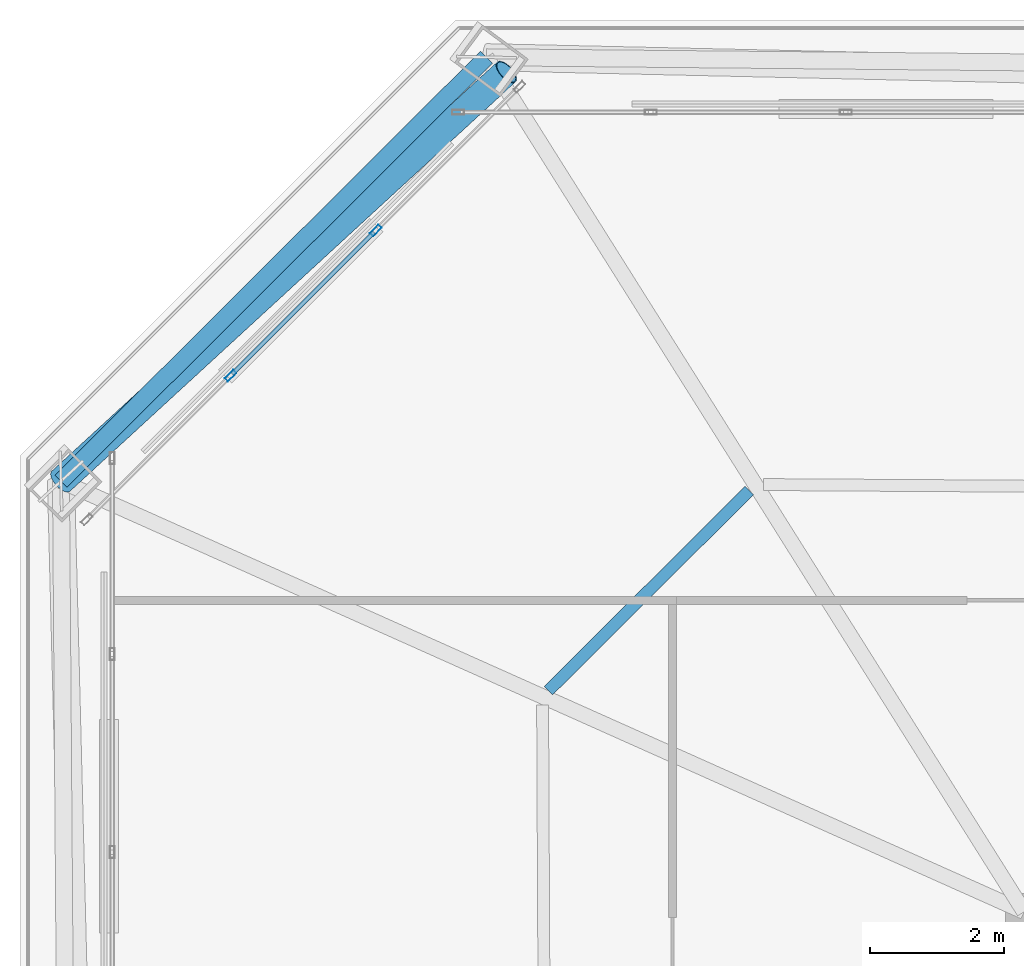
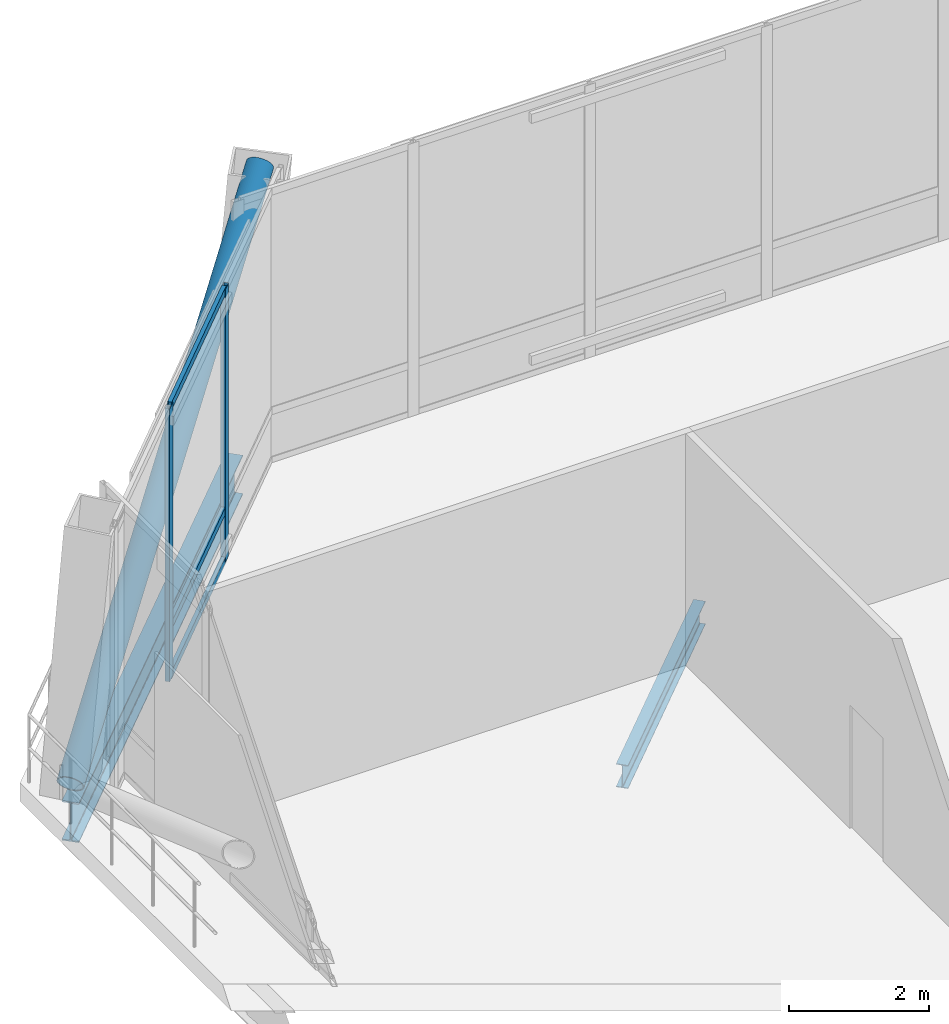
# One storey, part 19 of 34: 6 members, 2 beams, 1 element without a shape of its own.
"""IFC4 building model written with IfcOpenShell, lengths in metres."""

import ifcopenshell
import ifcopenshell.guid

model = None  # the IFC model being written
_history = None  # IfcOwnerHistory: only IFC2X3 demands one
_inside = {}  # id of a spatial element -> (the spatial element, [elements in it])
_under = {}  # id of a project, library or spatial element -> (it, [spatial elements below it])
_declared = {}  # id of a project -> (the project, [libraries it declares])
_typed = {}  # id of a type object -> (the type object, [elements of that type])
_made_of = {}  # id of a material, layer set ... -> (it, [elements and type objects made of it])


def new_model(schema):
    """Start an empty IFC model of exactly this schema.

    Asked for "IFC4X3", IfcOpenShell would pick the latest addendum, in which some entities
    have other attributes; the version numbers below select the first issue.
    IFC2X3 requires an IfcOwnerHistory on every rooted entity: one is made here for all.
    """
    global model, _history
    if schema == "IFC4X3":
        model = ifcopenshell.file(schema_version=(4, 3, 0, 0))
    else:
        model = ifcopenshell.file(schema=schema)
    _inside.clear()
    _under.clear()
    _declared.clear()
    _typed.clear()
    _made_of.clear()
    _history = None
    if model.schema == "IFC2X3":
        org = make("IfcOrganization", Name="unknown")
        user = make(
            "IfcPersonAndOrganization",
            ThePerson=make("IfcPerson", FamilyName="unknown"),
            TheOrganization=org,
        )
        app = make(
            "IfcApplication",
            ApplicationDeveloper=org,
            Version="unknown",
            ApplicationFullName="unknown",
            ApplicationIdentifier="unknown",
        )
        _history = make(
            "IfcOwnerHistory",
            OwningUser=user,
            OwningApplication=app,
            ChangeAction="ADDED",
            CreationDate=0,
        )
    return model


def make(cls, **values):
    """One entity of the class cls with the attributes given. An attribute that is None is left unset."""
    return model.create_entity(
        cls, **{name: value for name, value in values.items() if value is not None}
    )


def rooted(cls, **values):
    """An entity with a GlobalId (a new one), such as an element, a storey or a relation."""
    return make(cls, GlobalId=ifcopenshell.guid.new(), OwnerHistory=_history, **values)


def si_unit(unit_type, name, prefix=None):
    """IfcSIUnit, for example si_unit("LENGTHUNIT", "METRE", prefix="MILLI")."""
    return make("IfcSIUnit", UnitType=unit_type, Prefix=prefix, Name=name)


def assignment(units):
    """IfcUnitAssignment: the units of a project."""
    return None if units is None else make("IfcUnitAssignment", Units=units)


def point(xyz):
    """IfcCartesianPoint."""
    return None if xyz is None else make("IfcCartesianPoint", Coordinates=xyz)


def direction(xyz):
    """IfcDirection."""
    return None if xyz is None else make("IfcDirection", DirectionRatios=xyz)


def frame(location, z_axis=None, x_axis=None):
    """IfcAxis2Placement3D, a coordinate frame: its origin and axes. An axis left out is left unset."""
    return make(
        "IfcAxis2Placement3D",
        Location=point(location),
        Axis=direction(z_axis),
        RefDirection=direction(x_axis),
    )


def frame_2d(location, x_axis=None):
    """IfcAxis2Placement2D, a coordinate frame in the plane: its origin and x axis."""
    return make(
        "IfcAxis2Placement2D", Location=point(location), RefDirection=direction(x_axis)
    )


def origin():
    """The frame at (0, 0, 0) with its axes left unset."""
    return frame((0.0, 0.0, 0.0))


def origin_2d():
    """The frame at (0, 0) in the plane with its x axis left unset."""
    return frame_2d((0.0, 0.0))


def place(relative_to, where):
    """IfcLocalPlacement: puts the frame where relative to a parent placement (None: the world)."""
    return make(
        "IfcLocalPlacement", PlacementRelTo=relative_to, RelativePlacement=where
    )


def context(
    kind, dimensions, precision=None, world=None, true_north=None, identifier=None
):
    """IfcGeometricRepresentationContext, for example the 3D "Model" context."""
    return make(
        "IfcGeometricRepresentationContext",
        ContextIdentifier=identifier,
        ContextType=kind,
        CoordinateSpaceDimension=dimensions,
        Precision=precision,
        WorldCoordinateSystem=world,
        TrueNorth=true_north,
    )


def subcontext(parent, identifier, kind, view, scale=None):
    """IfcGeometricRepresentationSubContext, for example "Body" below "Model"."""
    return make(
        "IfcGeometricRepresentationSubContext",
        ContextIdentifier=identifier,
        ContextType=kind,
        ParentContext=parent,
        TargetScale=scale,
        TargetView=view,
    )


def project(units=None, contexts=None):
    """IfcProject with its units and contexts."""
    return rooted(
        "IfcProject",
        Name="project",
        RepresentationContexts=contexts,
        UnitsInContext=assignment(units),
    )


def spatial(cls, under=None, at=None, **own):
    """A site, building, storey or space (cls), placed at a placement, below another one or the project."""
    s = rooted(cls, ObjectPlacement=at, **own)
    if under is not None:
        _under.setdefault(under.id(), (under, []))[1].append(s)
    return s


def profile(cls, at=None, kind="AREA", **sizes):
    """A parametric profile (cls). Its sizes go by their IFC names, for example OverallWidth=200.0."""
    return make(cls, ProfileType=kind, Position=at, **sizes)


def hollow_rectangle(**sizes):
    """IfcRectangleHollowProfileDef."""
    return profile("IfcRectangleHollowProfileDef", **sizes)


def hollow_circle(**sizes):
    """IfcCircleHollowProfileDef."""
    return profile("IfcCircleHollowProfileDef", **sizes)


def i_section(**sizes):
    """IfcIShapeProfileDef."""
    return profile("IfcIShapeProfileDef", **sizes)


def extrude(swept, where, along, depth):
    """IfcExtrudedAreaSolid: the profile swept, set in the frame where, extruded along a direction by depth."""
    return make(
        "IfcExtrudedAreaSolid",
        SweptArea=swept,
        Position=where,
        ExtrudedDirection=direction(along),
        Depth=depth,
    )


def shape(context_of_items, identifier, shape_type, items):
    """IfcShapeRepresentation: the items that make up one representation, for example the "Body"."""
    return make(
        "IfcShapeRepresentation",
        ContextOfItems=context_of_items,
        RepresentationIdentifier=identifier,
        RepresentationType=shape_type,
        Items=items,
    )


def material(Name=None, Category=None):
    """IfcMaterial."""
    return make("IfcMaterial", Name=Name, Category=Category)


def layer(
    of_material, thickness, ventilated=None, Name=None, Category=None, Priority=None
):
    """IfcMaterialLayer: one layer of a wall or slab, of a material (None: an air gap)."""
    return make(
        "IfcMaterialLayer",
        Material=of_material,
        LayerThickness=thickness,
        IsVentilated=ventilated,
        Name=Name,
        Category=Category,
        Priority=Priority,
    )


def layer_set(layers, Name=None):
    """IfcMaterialLayerSet."""
    return make("IfcMaterialLayerSet", MaterialLayers=layers, LayerSetName=Name)


def material_profile(
    of_material, cross_section, Name=None, Category=None, Priority=None
):
    """IfcMaterialProfile: a cross section and its material."""
    return make(
        "IfcMaterialProfile",
        Name=Name,
        Material=of_material,
        Profile=cross_section,
        Priority=Priority,
        Category=Category,
    )


def profile_set(profiles, Name=None, composite=None):
    """IfcMaterialProfileSet."""
    return make(
        "IfcMaterialProfileSet",
        Name=Name,
        MaterialProfiles=profiles,
        CompositeProfile=composite,
    )


def made_of(thing, what):
    """Note that an element or type object is made of a material, layer set ...; save() writes the relation."""
    if what is not None:
        _made_of.setdefault(what.id(), (what, []))[1].append(thing)
    return thing


def type_object(cls, material=None, **own):
    """A type object (cls), such as IfcWallType, which elements share."""
    return made_of(rooted(cls, **own), material)


def element(
    cls,
    number,
    at=None,
    inside=None,
    cuts=None,
    type_object=None,
    material=None,
    context=None,
    identifier="Body",
    shape_type=None,
    held_by="IfcProductDefinitionShape",
    body=None,
    shapes=None,
    **own,
):
    """One element of the class cls, such as IfcWall. Its Tag is "e" and its number.

    at: its placement. inside: the storey or other place that contains it. cuts: it is an
    opening in that element (IfcRelVoidsElement). A single representation is given by context,
    identifier, shape_type and body (its items); several are given by shapes. held_by: the class
    of the entity that holds the representations. save() writes the other relations.
    """
    e = rooted(cls, Tag="e%d" % number, ObjectPlacement=at, **own)
    if body is not None:
        shapes = [shape(context, identifier, shape_type, body)]
    if shapes is not None:
        e.Representation = make(held_by, Representations=shapes)
    if inside is not None:
        _inside.setdefault(inside.id(), (inside, []))[1].append(e)
    if cuts is not None:
        rooted(
            "IfcRelVoidsElement", RelatingBuildingElement=cuts, RelatedOpeningElement=e
        )
    if type_object is not None:
        _typed.setdefault(type_object.id(), (type_object, []))[1].append(e)
    return made_of(e, material)


def aggregate(whole, parts):
    """IfcRelAggregates: a whole, such as a stair, and the parts it consists of."""
    return rooted("IfcRelAggregates", RelatingObject=whole, RelatedObjects=parts)


def save(model, path):
    """Write the relations noted so far, then the file.

    IfcRelAggregates (storeys below a building ...), IfcRelContainedInSpatialStructure (elements
    in a storey), IfcRelDefinesByType, IfcRelAssociatesMaterial and IfcRelDeclares: one each for
    every whole, place, type object, material and project.
    """
    for whole, parts in _under.values():
        aggregate(whole, parts)
    for where, things in _inside.values():
        rooted(
            "IfcRelContainedInSpatialStructure",
            RelatedElements=things,
            RelatingStructure=where,
        )
    for kind, things in _typed.values():
        rooted("IfcRelDefinesByType", RelatedObjects=things, RelatingType=kind)
    for what, things in _made_of.values():
        rooted("IfcRelAssociatesMaterial", RelatedObjects=things, RelatingMaterial=what)
    for by, libraries in _declared.values():
        rooted("IfcRelDeclares", RelatingContext=by, RelatedDefinitions=libraries)
    model.write(path)


model = new_model("IFC4")

# Units and contexts
model_context = context("Model", 3, precision=1e-05, world=origin(), true_north=direction((0.0, 1.0)))
body_context = subcontext(model_context, "Body", "Model", "MODEL_VIEW")
ifc_project = project(units=[si_unit("LENGTHUNIT", "METRE"), si_unit("AREAUNIT", "SQUARE_METRE"), si_unit("VOLUMEUNIT", "CUBIC_METRE"), si_unit("PLANEANGLEUNIT", "RADIAN"), si_unit("MASSUNIT", "GRAM", prefix="KILO")], contexts=[model_context])

# Site, building, storey
site_placement = place(None, origin())
site = spatial("IfcSite", under=ifc_project, at=site_placement, CompositionType="ELEMENT")
building_placement = place(site_placement, origin())
building = spatial("IfcBuilding", under=site, at=building_placement, Name="Caelvoria Tower", CompositionType="ELEMENT")
storey_placement = place(building_placement, frame((0.0, 0.0, 172.0)))
storey = spatial("IfcBuildingStorey", under=building, at=storey_placement, Name="L45", CompositionType="ELEMENT", Elevation=172.0)

# Curtain wall, members
ifc_material_1 = material(Name="Anodised Bronze Aluminium and Low-E Glass", Category="aluminium")
ifc_layer = layer(ifc_material_1, 0.2099609375, Name="Anodised Bronze Aluminium and Low-E Glass")
ifc_layer_set = layer_set([ifc_layer], Name="CW System 3 Sky Lobby Double-Height Acoustic Facade - Anodised Bronze Aluminium and Low-E Glass")
curtain_wall_type = type_object("IfcCurtainWallType", Name="CW System 3 Sky Lobby Double-Height Acoustic Facade", PredefinedType="NOTDEFINED", material=ifc_layer_set)
curtain_wall_placement = place(storey_placement, origin())
curtain_wall = element("IfcCurtainWall", 1, at=curtain_wall_placement, inside=storey, type_object=curtain_wall_type, Name="CW-03 Curtain Wall L45-E5", PredefinedType="NOTDEFINED")
ifc_material_2 = material(Name="Anodised Bronze Architectural Aluminium", Category="aluminium")
ifc_material_profile_1 = material_profile(ifc_material_2, hollow_rectangle(XDim=0.070068359375, YDim=0.179931640625, WallThickness=0.00390625, at=origin_2d()), Name="Anodised Bronze Architectural Aluminium")
ifc_profile_set_1 = profile_set([ifc_material_profile_1], Name="CW_MULL_70X180 - Anodised Bronze Architectural Aluminium")
member_type_1 = type_object("IfcMemberType", Name="Curtain Wall Mullion 70x180 Bronze Aluminium", PredefinedType="MULLION", material=ifc_profile_set_1)
member_1_placement = place(storey_placement, frame((27.302490234375, 50.19091796875, 0.0), z_axis=(0.0, 0.0, 1.0), x_axis=(0.707106781187, -0.707106781187, 0.0)))
member_1 = element("IfcMember", 2, at=member_1_placement, type_object=member_type_1, Name="CW-03 mullion 2", PredefinedType="MULLION", context=body_context, shape_type="SweptSolid", body=[
    extrude(hollow_rectangle(XDim=0.070068359375, YDim=0.179931640625, WallThickness=0.00390625, at=origin_2d()), origin(), (0.0, 0.0, 1.0), 4.760009765625),
])
member_2_placement = place(storey_placement, frame((25.129150390625, 48.017578125, 0.0), z_axis=(0.0, 0.0, 1.0), x_axis=(0.707106781187, -0.707106781187, 0.0)))
member_2 = element("IfcMember", 3, at=member_2_placement, type_object=member_type_1, Name="CW-03 mullion 3", PredefinedType="MULLION", context=body_context, shape_type="SweptSolid", body=[
    extrude(hollow_rectangle(XDim=0.070068359375, YDim=0.179931640625, WallThickness=0.00390625, at=origin_2d()), origin(), (0.0, 0.0, 1.0), 4.760009765625),
])
ifc_material_profile_2 = material_profile(ifc_material_2, hollow_rectangle(XDim=0.06494140625, YDim=0.1298828125, WallThickness=0.00341796875, at=origin_2d()), Name="Anodised Bronze Architectural Aluminium")
ifc_profile_set_2 = profile_set([ifc_material_profile_2], Name="CW_TRAN_65X130 - Anodised Bronze Architectural Aluminium")
member_type_2 = type_object("IfcMemberType", Name="Curtain Wall Transom 65x130 Bronze Aluminium", PredefinedType="USERDEFINED", material=ifc_profile_set_2)
member_3_placement = place(storey_placement, frame((27.27783203125, 50.166015625, 0.032470703125), z_axis=(-0.707147420675, -0.707066139362, 0.0), x_axis=(0.707066139362, -0.707147420675, 0.0)))
member_3 = element("IfcMember", 4, at=member_3_placement, type_object=member_type_2, Name="CW-03 transom 2.1", ObjectType="TRANSOM", PredefinedType="USERDEFINED", context=body_context, shape_type="SweptSolid", body=[
    extrude(hollow_rectangle(XDim=0.06494140625, YDim=0.1298828125, WallThickness=0.00341796875, at=origin_2d()), origin(), (0.0, 0.0, 1.0), 3.003662109375),
])
member_4_placement = place(storey_placement, frame((27.27783203125, 50.166015625, 0.89990234375), z_axis=(-0.707147420675, -0.707066139362, 0.0), x_axis=(0.707066139362, -0.707147420675, 0.0)))
member_4 = element("IfcMember", 5, at=member_4_placement, type_object=member_type_2, Name="CW-03 transom 2.2", ObjectType="TRANSOM", PredefinedType="USERDEFINED", context=body_context, shape_type="SweptSolid", body=[
    extrude(hollow_rectangle(XDim=0.06494140625, YDim=0.1298828125, WallThickness=0.00341796875, at=origin_2d()), origin(), (0.0, 0.0, 1.0), 3.003662109375),
])
member_5_placement = place(storey_placement, frame((27.27783203125, 50.166015625, 4.7275390625), z_axis=(-0.707147420675, -0.707066139362, 0.0), x_axis=(0.707066139362, -0.707147420675, 0.0)))
member_5 = element("IfcMember", 6, at=member_5_placement, type_object=member_type_2, Name="CW-03 transom 2.3", ObjectType="TRANSOM", PredefinedType="USERDEFINED", context=body_context, shape_type="SweptSolid", body=[
    extrude(hollow_rectangle(XDim=0.06494140625, YDim=0.1298828125, WallThickness=0.00341796875, at=origin_2d()), origin(), (0.0, 0.0, 1.0), 3.003662109375),
])
aggregate(curtain_wall, [member_1, member_2, member_3, member_4, member_5])

# Beams
ifc_material_3 = material(Name="Structural Steel ASTM A992 Gr.50", Category="steel")
ifc_material_profile_3 = material_profile(ifc_material_3, i_section(OverallWidth=0.25390625, OverallDepth=0.68798828125, WebThickness=0.01318359375, FlangeThickness=0.02099609375, FilletRadius=0.01904296875, at=origin_2d()), Name="Structural Steel ASTM A992 Gr.50")
ifc_profile_set_3 = profile_set([ifc_material_profile_3], Name="W690X152 - Structural Steel ASTM A992 Gr.50")
beam_type_1 = type_object("IfcBeamType", Name="Perimeter Spandrel Girder W690X152", PredefinedType="BEAM", material=ifc_profile_set_3)
beam_1_placement = place(storey_placement, frame((28.95654296875, 52.783203125, -0.6640625), z_axis=(-0.708355747731, -0.705855604679, 0.0), x_axis=(0.705855604679, -0.708355747731, 0.0)))
element("IfcBeam", 7, at=beam_1_placement, inside=storey, type_object=beam_type_1, Name="Perimeter Spandrel Girder L45-08", PredefinedType="BEAM", context=body_context, shape_type="SweptSolid", body=[
    extrude(i_section(OverallWidth=0.25390625, OverallDepth=0.68798828125, WebThickness=0.01318359375, FlangeThickness=0.02099609375, FilletRadius=0.01904296875, at=origin_2d()), origin(), (0.0, 0.0, 1.0), 8.98388671875),
])
ifc_material_profile_4 = material_profile(ifc_material_3, i_section(OverallWidth=0.177978515625, OverallDepth=0.406982421875, WebThickness=0.0078125, FlangeThickness=0.0126953125, FilletRadius=0.013916015625, at=origin_2d()), Name="Structural Steel ASTM A992 Gr.50")
ifc_profile_set_4 = profile_set([ifc_material_profile_4], Name="W410X60 - Structural Steel ASTM A992 Gr.50")
beam_type_2 = type_object("IfcBeamType", Name="Secondary Floor Beam W410X60", PredefinedType="BEAM", material=ifc_profile_set_4)
beam_2_placement = place(storey_placement, frame((32.889892578125, 46.303466796875, -0.5234375), z_axis=(-0.70834305441, -0.705868342731, 0.0), x_axis=(0.705868342731, -0.70834305441, 0.0)))
element("IfcBeam", 8, at=beam_2_placement, inside=storey, type_object=beam_type_2, Name="Secondary Floor Beam L45-08", PredefinedType="BEAM", context=body_context, shape_type="SweptSolid", body=[
    extrude(i_section(OverallWidth=0.177978515625, OverallDepth=0.406982421875, WebThickness=0.0078125, FlangeThickness=0.0126953125, FilletRadius=0.013916015625, at=origin_2d()), origin(), (0.0, 0.0, 1.0), 4.2421875),
])

# Member
ifc_material_4 = material(Name="Structural Steel ASTM A572 Gr.50", Category="steel")
ifc_material_profile_5 = material_profile(ifc_material_4, hollow_circle(Radius=0.202880859375, WallThickness=0.01611328125, at=origin_2d()), Name="Structural Steel ASTM A572 Gr.50")
ifc_profile_set_5 = profile_set([ifc_material_profile_5], Name="CHS406X16 - Structural Steel ASTM A572 Gr.50")
member_type_3 = type_object("IfcMemberType", Name="Upper Perimeter Mega Brace CHS406X16", PredefinedType="BRACE", material=ifc_profile_set_5)
member_6_placement = place(storey_placement, frame((22.5927734375, 46.44189453125, 0.0), z_axis=(0.651713063112, 0.598691367796, 0.465659456573), x_axis=(-0.676514945151, 0.736428902874, 0.0)))
element("IfcMember", 9, at=member_6_placement, inside=storey, type_object=member_type_3, Name="Perimeter Chamfer Mega Brace L45 NW", PredefinedType="BRACE", context=body_context, shape_type="SweptSolid", body=[
    extrude(hollow_circle(Radius=0.202880859375, WallThickness=0.01611328125, at=origin_2d()), origin(), (0.0, 0.0, 1.0), 10.22216796875),
])

save(model, "model.ifc")
